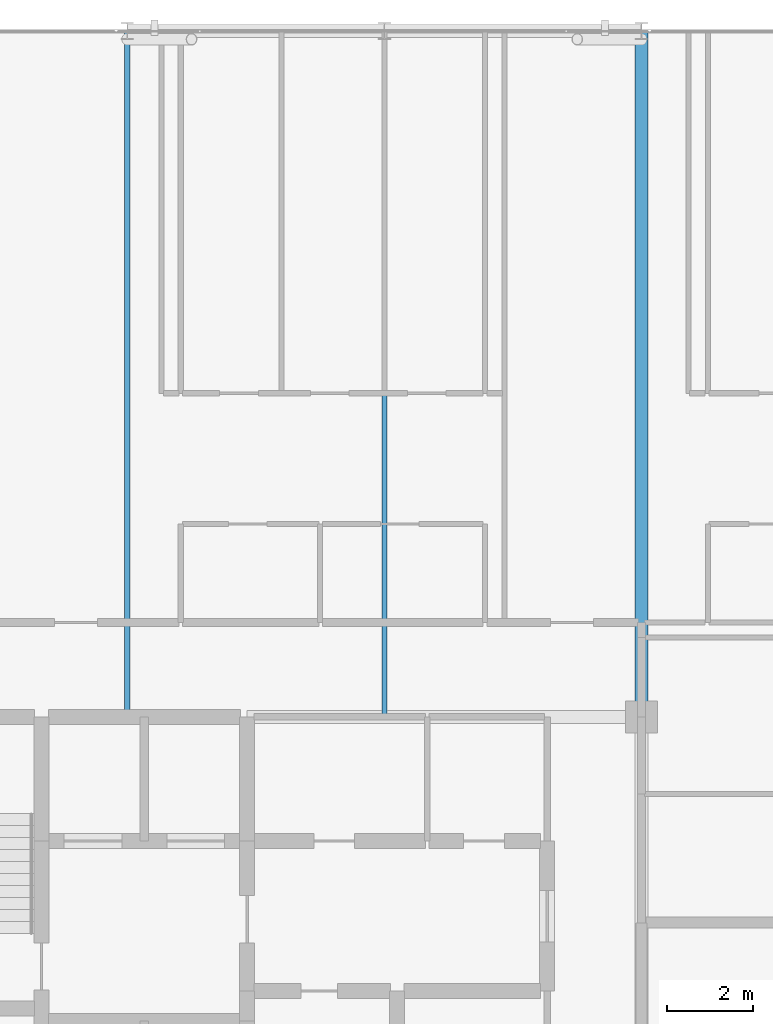
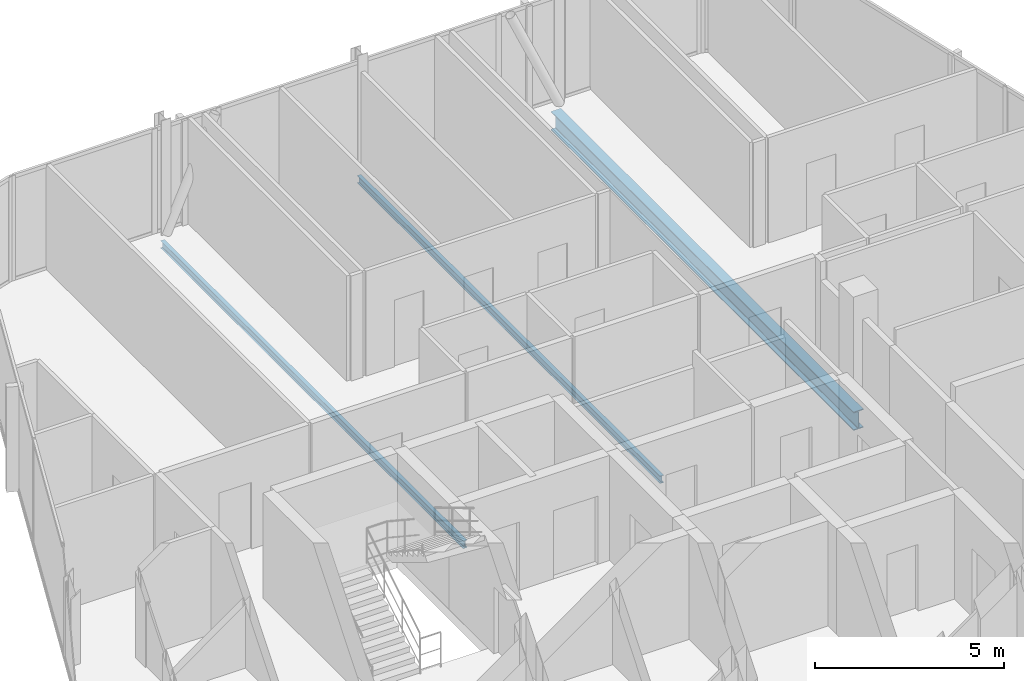
# One storey, part 16 of 28: 3 beams.
"""IFC4 building model written with IfcOpenShell, lengths in metres."""

from ifc_helpers import new_model, si_unit, direction, frame, origin, origin_2d, place, context, subcontext, project, spatial, i_section, extrude, material, material_profile, profile_set, type_object, element, save


model = new_model("IFC4")

# Units and contexts
model_context = context("Model", 3, precision=1e-05, world=origin(), true_north=direction((0.0, 1.0)))
body_context = subcontext(model_context, "Body", "Model", "MODEL_VIEW")
ifc_project = project(units=[si_unit("LENGTHUNIT", "METRE"), si_unit("AREAUNIT", "SQUARE_METRE"), si_unit("VOLUMEUNIT", "CUBIC_METRE"), si_unit("PLANEANGLEUNIT", "RADIAN"), si_unit("MASSUNIT", "GRAM", prefix="KILO")], contexts=[model_context])

# Site, building, storey
site_placement = place(None, origin())
site = spatial("IfcSite", under=ifc_project, at=site_placement, CompositionType="ELEMENT")
building_placement = place(site_placement, origin())
building = spatial("IfcBuilding", under=site, at=building_placement, Name="Keshet Zoharim Tower", CompositionType="ELEMENT")
storey_placement = place(building_placement, frame((0.0, 0.0, 265.800048828125)))
storey = spatial("IfcBuildingStorey", under=building, at=storey_placement, Name="L66", CompositionType="ELEMENT", Elevation=265.800048828125)

# Beams
ifc_material = material(Name="Steel S355", Category="steel")
ifc_material_profile_1 = material_profile(ifc_material, i_section(OverallWidth=0.1201171875, OverallDepth=0.239990234375, WebThickness=0.006103515625, FlangeThickness=0.009765625, FilletRadius=0.014892578125, at=origin_2d()), Name="IPE240")
ifc_profile_set_1 = profile_set([ifc_material_profile_1], Name="Steel S355")
beam_type_1 = type_object("IfcBeamType", Name="BM-JST-IP240", PredefinedType="JOIST", material=ifc_profile_set_1)
for number, where, z_axis, x_axis, name in (
    (1, (21.0, 37.89990234375, -0.429931640625), (0.0, 1.0, 0.0), (-1.0, 0.0, 0.0), "L66 Secondary Floor Joist J-001"),
    (2, (27.0, 37.89990234375, -0.429931640625), (0.0, 1.0, 0.0), (-1.0, 0.0, 0.0), "L66 Secondary Floor Joist J-002"),
):
    element("IfcBeam", number, at=place(storey_placement, frame(where, z_axis=z_axis, x_axis=x_axis)), inside=storey, type_object=beam_type_1, Name=name, PredefinedType="JOIST", context=body_context, shape_type="SweptSolid", body=[
        extrude(i_section(OverallWidth=0.1201171875, OverallDepth=0.239990234375, WebThickness=0.006103515625, FlangeThickness=0.009765625, FilletRadius=0.014892578125, at=origin_2d()), origin(), (0.0, 0.0, 1.0), 16.0),
    ])
ifc_material_profile_2 = material_profile(ifc_material, i_section(OverallWidth=0.300048828125, OverallDepth=0.60009765625, WebThickness=0.015380859375, FlangeThickness=0.030029296875, FilletRadius=0.027099609375, at=origin_2d()), Name="HEB600")
ifc_profile_set_2 = profile_set([ifc_material_profile_2], Name="Steel S355")
beam_type_2 = type_object("IfcBeamType", Name="BM-LNG-HB600", PredefinedType="BEAM", material=ifc_profile_set_2)
beam_placement = place(storey_placement, frame((33.0, 37.89990234375, -0.610107421875), z_axis=(0.0, 1.0, 0.0), x_axis=(-1.0, 0.0, 0.0)))
element("IfcBeam", 3, at=beam_placement, inside=storey, type_object=beam_type_2, Name="L66 Primary Girder Y-009", PredefinedType="BEAM", context=body_context, shape_type="SweptSolid", body=[
    extrude(i_section(OverallWidth=0.300048828125, OverallDepth=0.60009765625, WebThickness=0.015380859375, FlangeThickness=0.030029296875, FilletRadius=0.027099609375, at=origin_2d()), origin(), (0.0, 0.0, 1.0), 16.0),
])

save(model, "model.ifc")
